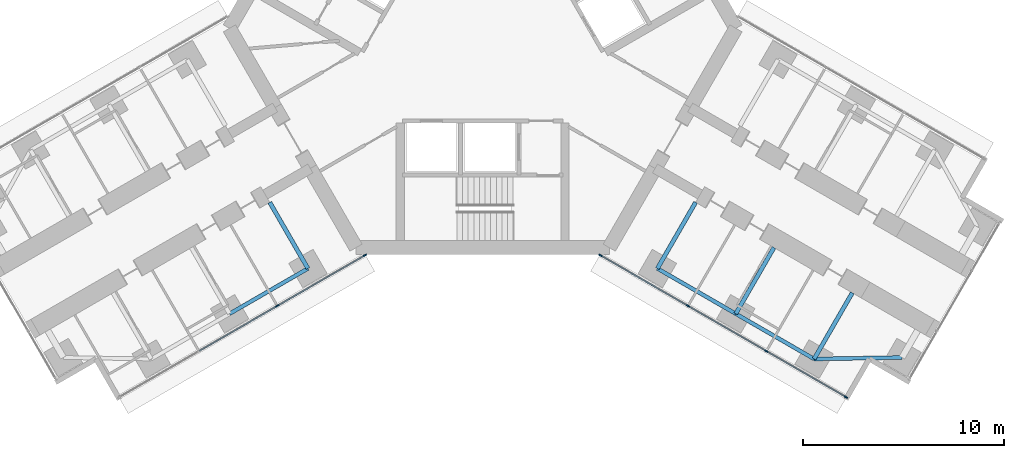
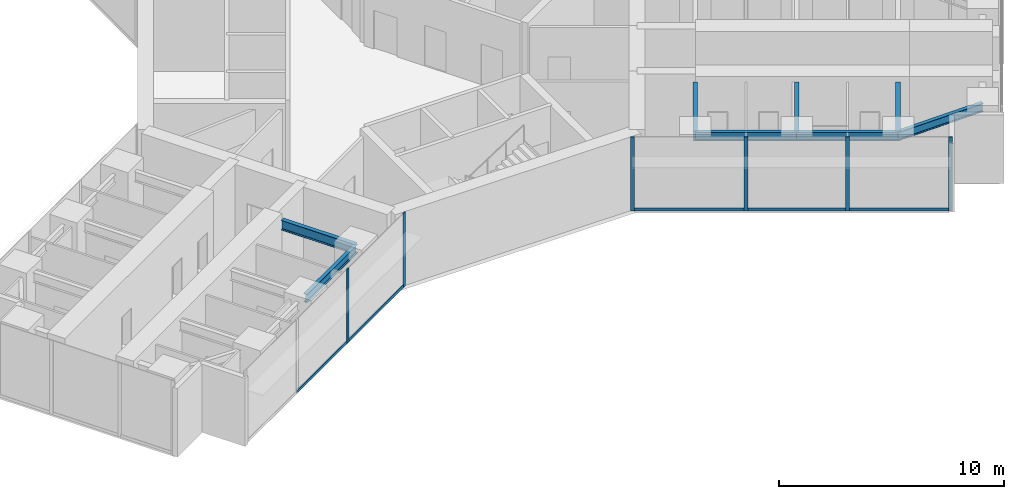
# One storey, part 9 of 25: 11 members, 8 beams, 2 elements without a shape of their own.
"""IFC4 building model written with IfcOpenShell, lengths in metres."""

from ifc_helpers import new_model, si_unit, direction, frame, origin, origin_2d, place, context, subcontext, project, spatial, rectangle, i_section, extrude, material, material_profile, profile_set, type_object, element, aggregate, save


model = new_model("IFC4")

# Units and contexts
model_context = context("Model", 3, precision=1e-05, world=origin(), true_north=direction((0.0, 1.0)))
body_context = subcontext(model_context, "Body", "Model", "MODEL_VIEW")
ifc_project = project(units=[si_unit("LENGTHUNIT", "METRE"), si_unit("AREAUNIT", "SQUARE_METRE"), si_unit("VOLUMEUNIT", "CUBIC_METRE"), si_unit("PLANEANGLEUNIT", "RADIAN"), si_unit("MASSUNIT", "GRAM", prefix="KILO")], contexts=[model_context])

# Site, building, storey
site_placement = place(None, origin())
site = spatial("IfcSite", under=ifc_project, at=site_placement, CompositionType="ELEMENT")
building_placement = place(site_placement, origin())
building = spatial("IfcBuilding", under=site, at=building_placement, Name="Upepo Twin Towers", CompositionType="ELEMENT")
storey_placement = place(building_placement, frame((0.0, 0.0, 88.5)))
storey = spatial("IfcBuildingStorey", under=building, at=storey_placement, Name="L21", CompositionType="ELEMENT", Elevation=88.5)

# Beams
ifc_material_1 = material(Name="Steel S355", Category="steel")
ifc_material_profile_1 = material_profile(ifc_material_1, i_section(OverallWidth=0.1904296875, OverallDepth=0.45703125, WebThickness=0.009033203125, FlangeThickness=0.014404296875, FilletRadius=0.01025390625, at=origin_2d()), Name="UB 457x191x74")
ifc_profile_set_1 = profile_set([ifc_material_profile_1], Name="Steel S355")
beam_type_1 = type_object("IfcBeamType", Name="Beam UB 457x191x74", PredefinedType="BEAM", material=ifc_profile_set_1)
for number, where, z_axis, x_axis, name in (
    (1, (49.80859375, -29.946044921875, 3.471435546875), (-0.866017533419, -0.500013631625, 0.0), (0.500013631625, -0.866017533419, 0.0), "T2 edge beam BL 13.5-18.0"),
    (2, (67.19140625, -29.946044921875, 3.471435546875), (0.866017533419, -0.500013631625, 0.0), (0.500013631625, 0.866017533419, 0.0), "T2 edge beam CR 13.5-18.0"),
):
    element("IfcBeam", number, at=place(storey_placement, frame(where, z_axis=z_axis, x_axis=x_axis)), inside=storey, type_object=beam_type_1, Name=name, PredefinedType="BEAM", context=body_context, shape_type="SweptSolid", body=[
        extrude(i_section(OverallWidth=0.1904296875, OverallDepth=0.45703125, WebThickness=0.009033203125, FlangeThickness=0.014404296875, FilletRadius=0.01025390625, at=origin_2d()), origin(), (0.0, 0.0, 1.0), 4.499755859375),
    ])
beam_1_placement = place(storey_placement, frame((71.08837890625, -32.196044921875, 3.471435546875), z_axis=(0.866031096941, -0.499990139034, 0.0), x_axis=(0.499990139034, 0.866031096941, 0.0)))
element("IfcBeam", 3, at=beam_1_placement, inside=storey, type_object=beam_type_1, Name="T2 edge beam CR 18.0-22.5", PredefinedType="BEAM", context=body_context, shape_type="SweptSolid", body=[
    extrude(i_section(OverallWidth=0.1904296875, OverallDepth=0.45703125, WebThickness=0.009033203125, FlangeThickness=0.014404296875, FilletRadius=0.01025390625, at=origin_2d()), origin(), (0.0, 0.0, 1.0), 4.5),
])
beam_2_placement = place(storey_placement, frame((74.985595703125, -34.446044921875, 3.471435546875), z_axis=(0.999858804832, 0.016803880528, 0.0), x_axis=(-0.016803880528, 0.999858804832, 0.0)))
element("IfcBeam", 4, at=beam_2_placement, inside=storey, type_object=beam_type_1, Name="T2 nose edge beam CR", PredefinedType="BEAM", context=body_context, shape_type="SweptSolid", body=[
    extrude(i_section(OverallWidth=0.1904296875, OverallDepth=0.45703125, WebThickness=0.009033203125, FlangeThickness=0.014404296875, FilletRadius=0.01025390625, at=origin_2d()), origin(), (0.0, 0.0, 1.0), 4.373291015625),
])
ifc_material_2 = material(Name="Steel S355", Category="steel")
ifc_material_profile_2 = material_profile(ifc_material_2, i_section(OverallWidth=0.209228515625, OverallDepth=0.533203125, WebThickness=0.010009765625, FlangeThickness=0.015625, FilletRadius=0.0126953125, at=origin_2d()), Name="UB 533x210x92")
ifc_profile_set_2 = profile_set([ifc_material_profile_2], Name="Steel S355")
beam_type_2 = type_object("IfcBeamType", Name="Beam UB 533x210x92", PredefinedType="BEAM", material=ifc_profile_set_2)
for number, where, z_axis, x_axis, name in (
    (5, (49.80859375, -29.946044921875, 3.433349609375), (-0.499994975061, 0.866028304915, 0.0), (-0.866028304915, -0.499994975061, 0.0), "T2 girder BL at 13.5"),
    (6, (67.19140625, -29.946044921875, 3.433349609375), (0.499994975061, 0.866028304915, 0.0), (-0.866028304915, 0.499994975061, 0.0), "T2 girder CR at 13.5"),
):
    element("IfcBeam", number, at=place(storey_placement, frame(where, z_axis=z_axis, x_axis=x_axis)), inside=storey, type_object=beam_type_2, Name=name, PredefinedType="BEAM", context=body_context, shape_type="SweptSolid", body=[
        extrude(i_section(OverallWidth=0.209228515625, OverallDepth=0.533203125, WebThickness=0.010009765625, FlangeThickness=0.015625, FilletRadius=0.0126953125, at=origin_2d()), origin(), (0.0, 0.0, 1.0), 3.7998046875),
    ])
beam_3_placement = place(storey_placement, frame((71.08837890625, -32.196044921875, 3.433349609375), z_axis=(0.500043160704, 0.866000483506, 0.0), x_axis=(-0.866000483506, 0.500043160704, 0.0)))
element("IfcBeam", 7, at=beam_3_placement, inside=storey, type_object=beam_type_2, Name="T2 girder CR at 18.0", PredefinedType="BEAM", context=body_context, shape_type="SweptSolid", body=[
    extrude(i_section(OverallWidth=0.209228515625, OverallDepth=0.533203125, WebThickness=0.010009765625, FlangeThickness=0.015625, FilletRadius=0.0126953125, at=origin_2d()), origin(), (0.0, 0.0, 1.0), 3.800048828125),
])
beam_4_placement = place(storey_placement, frame((74.985595703125, -34.446044921875, 3.433349609375), z_axis=(0.499994975061, 0.866028304915, 0.0), x_axis=(-0.866028304915, 0.499994975061, 0.0)))
element("IfcBeam", 8, at=beam_4_placement, inside=storey, type_object=beam_type_2, Name="T2 girder CR at 22.5", PredefinedType="BEAM", context=body_context, shape_type="SweptSolid", body=[
    extrude(i_section(OverallWidth=0.209228515625, OverallDepth=0.533203125, WebThickness=0.010009765625, FlangeThickness=0.015625, FilletRadius=0.0126953125, at=origin_2d()), origin(), (0.0, 0.0, 1.0), 3.7998046875),
])

# Curtain wall, members
ifc_material_3 = material(Name="Aluminium and fritted glass", Category="aluminium")
curtain_wall_type = type_object("IfcCurtainWallType", Name="Tower curtain wall TW1, fritted glass", PredefinedType="NOTDEFINED", material=ifc_material_3)
curtain_wall_1_placement = place(storey_placement, origin())
curtain_wall_1 = element("IfcCurtainWall", 9, at=curtain_wall_1_placement, inside=storey, type_object=curtain_wall_type, Name="T2 L21 wing B flank L curtain wall", PredefinedType="NOTDEFINED")
ifc_material_4 = material(Name="Aluminium mullion", Category="aluminium")
ifc_material_profile_3 = material_profile(ifc_material_4, rectangle(XDim=0.06494140625, YDim=0.179931640625, at=origin_2d()), Name="MULLION 65x180")
ifc_profile_set_3 = profile_set([ifc_material_profile_3], Name="Aluminium mullion")
member_type_1 = type_object("IfcMemberType", Name="Mullion 65x180 TW1", PredefinedType="MULLION", material=ifc_profile_set_3)
member_1_placement = place(storey_placement, frame((52.6416015625, -29.2919921875, 0.0), z_axis=(0.0, 0.0, 1.0), x_axis=(0.500000024426, -0.866025389682, 0.0)))
member_1 = element("IfcMember", 10, at=member_1_placement, type_object=member_type_1, Name="T2 L21 wing B flank L curtain wall mullion 1", PredefinedType="MULLION", context=body_context, shape_type="SweptSolid", body=[
    extrude(rectangle(XDim=0.06494140625, YDim=0.179931640625, at=origin_2d()), origin(), (0.0, 0.0, 1.0), 4.0),
])
member_2_placement = place(storey_placement, frame((48.28515625, -31.807373046875, 0.0), z_axis=(0.0, 0.0, 1.0), x_axis=(0.500000024426, -0.866025389682, 0.0)))
member_2 = element("IfcMember", 11, at=member_2_placement, type_object=member_type_1, Name="T2 L21 wing B flank L curtain wall mullion 2", PredefinedType="MULLION", context=body_context, shape_type="SweptSolid", body=[
    extrude(rectangle(XDim=0.06494140625, YDim=0.179931640625, at=origin_2d()), origin(), (0.0, 0.0, 1.0), 4.0),
])

curtain_wall_2_placement = place(storey_placement, origin())
curtain_wall_2 = element("IfcCurtainWall", 12, at=curtain_wall_2_placement, inside=storey, type_object=curtain_wall_type, Name="T2 L21 wing C flank R curtain wall", PredefinedType="NOTDEFINED")
member_3_placement = place(storey_placement, frame((76.567626953125, -36.341064453125, 0.0), z_axis=(0.0, 0.0, 1.0), x_axis=(-0.500000024426, -0.866025389682, 0.0)))
member_3 = element("IfcMember", 13, at=member_3_placement, type_object=member_type_1, Name="T2 L21 wing C flank R curtain wall mullion 1", PredefinedType="MULLION", context=body_context, shape_type="SweptSolid", body=[
    extrude(rectangle(XDim=0.06494140625, YDim=0.179931640625, at=origin_2d()), origin(), (0.0, 0.0, 1.0), 4.0),
])
member_4_placement = place(storey_placement, frame((72.612060546875, -34.057373046875, 0.0), z_axis=(0.0, 0.0, 1.0), x_axis=(-0.500000024426, -0.866025389682, 0.0)))
member_4 = element("IfcMember", 14, at=member_4_placement, type_object=member_type_1, Name="T2 L21 wing C flank R curtain wall mullion 2", PredefinedType="MULLION", context=body_context, shape_type="SweptSolid", body=[
    extrude(rectangle(XDim=0.06494140625, YDim=0.179931640625, at=origin_2d()), origin(), (0.0, 0.0, 1.0), 4.0),
])
member_5_placement = place(storey_placement, frame((68.71484375, -31.807373046875, 0.0), z_axis=(0.0, 0.0, 1.0), x_axis=(-0.500000024426, -0.866025389682, 0.0)))
member_5 = element("IfcMember", 15, at=member_5_placement, type_object=member_type_1, Name="T2 L21 wing C flank R curtain wall mullion 3", PredefinedType="MULLION", context=body_context, shape_type="SweptSolid", body=[
    extrude(rectangle(XDim=0.06494140625, YDim=0.179931640625, at=origin_2d()), origin(), (0.0, 0.0, 1.0), 4.0),
])
member_6_placement = place(storey_placement, frame((64.3583984375, -29.2919921875, 0.0), z_axis=(0.0, 0.0, 1.0), x_axis=(-0.500000024426, -0.866025389682, 0.0)))
member_6 = element("IfcMember", 16, at=member_6_placement, type_object=member_type_1, Name="T2 L21 wing C flank R curtain wall mullion 4", PredefinedType="MULLION", context=body_context, shape_type="SweptSolid", body=[
    extrude(rectangle(XDim=0.06494140625, YDim=0.179931640625, at=origin_2d()), origin(), (0.0, 0.0, 1.0), 4.0),
])

# Member
ifc_material_5 = material(Name="Aluminium transom", Category="aluminium")
ifc_material_profile_4 = material_profile(ifc_material_5, rectangle(XDim=0.06494140625, YDim=0.14990234375, at=origin_2d()), Name="TRANSOM 65x150")
ifc_profile_set_4 = profile_set([ifc_material_profile_4], Name="Aluminium transom")
member_type_2 = type_object("IfcMemberType", Name="Transom 65x150 TW1", PredefinedType="USERDEFINED", material=ifc_profile_set_4)
member_7_placement = place(storey_placement, frame((52.61328125, -29.308349609375, 0.074951171875), z_axis=(-0.866022642139, -0.50000478328, 0.0), x_axis=(0.50000478328, -0.866022642139, 0.0)))
member_7 = element("IfcMember", 17, at=member_7_placement, type_object=member_type_2, Name="T2 L21 wing B flank L curtain wall transom 1", ObjectType="TRANSOM", PredefinedType="USERDEFINED", context=body_context, shape_type="SweptSolid", body=[
    extrude(rectangle(XDim=0.06494140625, YDim=0.14990234375, at=origin_2d()), origin(), (0.0, 0.0, 1.0), 4.96533203125),
])

member_8_placement = place(storey_placement, frame((48.2568359375, -31.823486328125, 0.074951171875), z_axis=(-0.866022410713, -0.500005184116, 0.0), x_axis=(0.500005184116, -0.866022410713, 0.0)))
member_8 = element("IfcMember", 18, at=member_8_placement, type_object=member_type_2, Name="T2 L21 wing B flank L curtain wall transom 2", ObjectType="TRANSOM", PredefinedType="USERDEFINED", context=body_context, shape_type="SweptSolid", body=[
    extrude(rectangle(XDim=0.06494140625, YDim=0.14990234375, at=origin_2d()), origin(), (0.0, 0.0, 1.0), 4.43505859375),
])

aggregate(curtain_wall_1, [member_1, member_2, member_7, member_8])

member_9_placement = place(storey_placement, frame((76.53955078125, -36.32470703125, 0.074951171875), z_axis=(-0.866035699072, 0.499982167615, 0.0), x_axis=(-0.499982167615, -0.866035699072, 0.0)))
member_9 = element("IfcMember", 19, at=member_9_placement, type_object=member_type_2, Name="T2 L21 wing C flank R curtain wall transom 1", ObjectType="TRANSOM", PredefinedType="USERDEFINED", context=body_context, shape_type="SweptSolid", body=[
    extrude(rectangle(XDim=0.06494140625, YDim=0.14990234375, at=origin_2d()), origin(), (0.0, 0.0, 1.0), 4.502685546875),
])

member_10_placement = place(storey_placement, frame((72.583984375, -34.041015625, 0.074951171875), z_axis=(-0.866022410713, 0.500005184116, 0.0), x_axis=(-0.500005184116, -0.866022410713, 0.0)))
member_10 = element("IfcMember", 20, at=member_10_placement, type_object=member_type_2, Name="T2 L21 wing C flank R curtain wall transom 2", ObjectType="TRANSOM", PredefinedType="USERDEFINED", context=body_context, shape_type="SweptSolid", body=[
    extrude(rectangle(XDim=0.06494140625, YDim=0.14990234375, at=origin_2d()), origin(), (0.0, 0.0, 1.0), 4.43505859375),
])

member_11_placement = place(storey_placement, frame((68.686767578125, -31.791015625, 0.074951171875), z_axis=(-0.866022642139, 0.50000478328, 0.0), x_axis=(-0.50000478328, -0.866022642139, 0.0)))
member_11 = element("IfcMember", 21, at=member_11_placement, type_object=member_type_2, Name="T2 L21 wing C flank R curtain wall transom 3", ObjectType="TRANSOM", PredefinedType="USERDEFINED", context=body_context, shape_type="SweptSolid", body=[
    extrude(rectangle(XDim=0.06494140625, YDim=0.14990234375, at=origin_2d()), origin(), (0.0, 0.0, 1.0), 4.96533203125),
])

aggregate(curtain_wall_2, [member_3, member_4, member_5, member_6, member_9, member_10, member_11])

save(model, "model.ifc")
